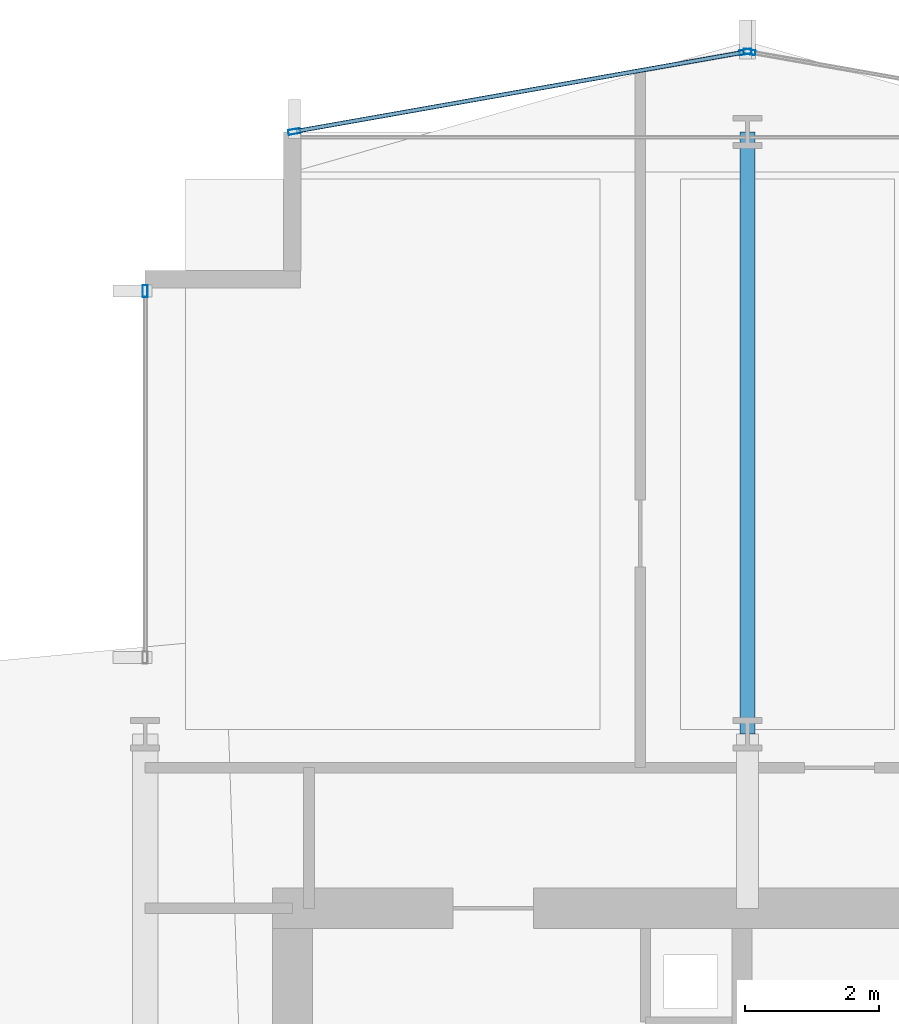
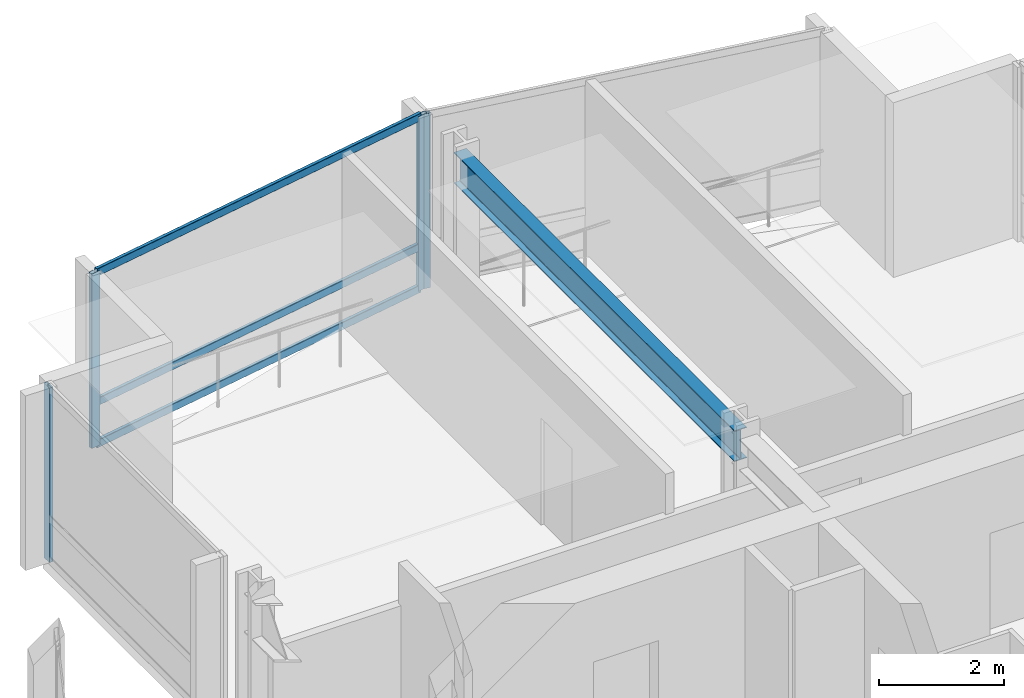
# One storey, part 23 of 34: 7 members, 1 beam, 3 elements without a shape of their own.
"""IFC4 building model written with IfcOpenShell, lengths in metres."""

from ifc_helpers import new_model, si_unit, direction, frame, origin, origin_2d, place, context, subcontext, project, spatial, hollow_rectangle, i_section, extrude, material, layer, layer_set, material_profile, profile_set, type_object, element, aggregate, save


model = new_model("IFC4")

# Units and contexts
model_context = context("Model", 3, precision=1e-05, world=origin(), true_north=direction((0.0, 1.0)))
body_context = subcontext(model_context, "Body", "Model", "MODEL_VIEW")
ifc_project = project(units=[si_unit("LENGTHUNIT", "METRE"), si_unit("AREAUNIT", "SQUARE_METRE"), si_unit("VOLUMEUNIT", "CUBIC_METRE"), si_unit("PLANEANGLEUNIT", "RADIAN"), si_unit("MASSUNIT", "GRAM", prefix="KILO")], contexts=[model_context])

# Site, building, storey
site_placement = place(None, origin())
site = spatial("IfcSite", under=ifc_project, at=site_placement, CompositionType="ELEMENT")
building_placement = place(site_placement, origin())
building = spatial("IfcBuilding", under=site, at=building_placement, Name="Solvaryn Broadcast Tower", CompositionType="ELEMENT")
storey_placement = place(building_placement, frame((0.0, 0.0, 47.10009765625)))
storey = spatial("IfcBuildingStorey", under=building, at=storey_placement, Name="L10", CompositionType="ELEMENT", Elevation=47.10009765625)

# Beam
ifc_material_1 = material(Name="Steel ASTM A992 Grade 50", Category="steel")
ifc_material_profile_1 = material_profile(ifc_material_1, i_section(OverallWidth=0.22802734375, OverallDepth=0.60791015625, WebThickness=0.01123046875, FlangeThickness=0.017333984375, FilletRadius=0.014892578125, at=origin_2d()))
ifc_profile_set_1 = profile_set([ifc_material_profile_1], Name="Steel ASTM A992 Grade 50")
beam_type = type_object("IfcBeamType", Name="BM-B2-W24X76", PredefinedType="BEAM", material=ifc_profile_set_1)
beam_placement = place(storey_placement, frame((18.0, 45.0, 3.115966796875), z_axis=(0.0, 1.0, 0.0), x_axis=(-1.0, 0.0, 0.0)))
element("IfcBeam", 1, at=beam_placement, inside=storey, type_object=beam_type, Name="L10 Primary Beam Y (45-54 @ X=18)", PredefinedType="BEAM", context=body_context, shape_type="SweptSolid", body=[
    extrude(i_section(OverallWidth=0.22802734375, OverallDepth=0.60791015625, WebThickness=0.01123046875, FlangeThickness=0.017333984375, FilletRadius=0.014892578125, at=origin_2d()), origin(), (0.0, 0.0, 1.0), 9.0),
])

# Curtain wall, member
ifc_material_2 = material(Name="Aluminium and Terracotta Unitised Curtain Wall", Category="masonry")
ifc_layer = layer(ifc_material_2, 0.199951171875)
ifc_layer_set = layer_set([ifc_layer], Name="CW-SYS2-LOWMID")
curtain_wall_type = type_object("IfcCurtainWallType", Name="CW-SYS2-LOWMID", PredefinedType="NOTDEFINED", material=ifc_layer_set)
curtain_wall_1_placement = place(storey_placement, origin())
curtain_wall_1 = element("IfcCurtainWall", 2, at=curtain_wall_1_placement, inside=storey, type_object=curtain_wall_type, Name="L10 Curtain Wall W2", PredefinedType="NOTDEFINED")
ifc_material_3 = material(Name="Anodised Aluminium 6063-T6", Category="aluminium")
ifc_material_profile_2 = material_profile(ifc_material_3, hollow_rectangle(XDim=0.074951171875, YDim=0.179931640625, WallThickness=0.00390625, InnerFilletRadius=0.00390625, OuterFilletRadius=0.008056640625, at=origin_2d()))
ifc_profile_set_2 = profile_set([ifc_material_profile_2], Name="Anodised Aluminium 6063-T6")
member_type_1 = type_object("IfcMemberType", Name="CW-MUL-180", PredefinedType="MULLION", material=ifc_profile_set_2)
member_1_placement = place(storey_placement, frame((9.0, 51.6201171875, 0.0), z_axis=(0.0, 0.0, 1.0), x_axis=(-1.0, 0.0, 0.0)))
member_1 = element("IfcMember", 3, at=member_1_placement, type_object=member_type_1, Name="CWS2 mullion 2", PredefinedType="MULLION", context=body_context, shape_type="SweptSolid", body=[
    extrude(hollow_rectangle(XDim=0.074951171875, YDim=0.179931640625, WallThickness=0.00390625, InnerFilletRadius=0.00390625, OuterFilletRadius=0.008056640625, at=origin_2d()), origin(), (0.0, 0.0, 1.0), 3.419921875),
])
aggregate(curtain_wall_1, [member_1])

curtain_wall_2_placement = place(storey_placement, origin())
curtain_wall_2 = element("IfcCurtainWall", 4, at=curtain_wall_2_placement, inside=storey, type_object=curtain_wall_type, Name="L10 Curtain Wall NT1", PredefinedType="NOTDEFINED")
member_2_placement = place(storey_placement, frame((18.029541015625, 55.19482421875, 0.0), z_axis=(0.0, 0.0, 1.0), x_axis=(-0.173785333901, -0.984783558819, 0.0)))
member_2 = element("IfcMember", 5, at=member_2_placement, type_object=member_type_1, Name="CWS2 mullion 2", PredefinedType="MULLION", context=body_context, shape_type="SweptSolid", body=[
    extrude(hollow_rectangle(XDim=0.074951171875, YDim=0.179931640625, WallThickness=0.00390625, InnerFilletRadius=0.00390625, OuterFilletRadius=0.008056640625, at=origin_2d()), origin(), (0.0, 0.0, 1.0), 3.419921875),
])
aggregate(curtain_wall_2, [member_2])

# Curtain wall, members
curtain_wall_3_placement = place(storey_placement, origin())
curtain_wall_3 = element("IfcCurtainWall", 6, at=curtain_wall_3_placement, inside=storey, type_object=curtain_wall_type, Name="L10 Curtain Wall NT2", PredefinedType="NOTDEFINED")
member_3_placement = place(storey_placement, frame((17.970458984375, 55.19482421875, 0.0), z_axis=(0.0, 0.0, 1.0), x_axis=(0.173785333901, -0.984783558819, 0.0)))
member_3 = element("IfcMember", 7, at=member_3_placement, type_object=member_type_1, Name="CWS2 mullion 1", PredefinedType="MULLION", context=body_context, shape_type="SweptSolid", body=[
    extrude(hollow_rectangle(XDim=0.074951171875, YDim=0.179931640625, WallThickness=0.00390625, InnerFilletRadius=0.00390625, OuterFilletRadius=0.008056640625, at=origin_2d()), origin(), (0.0, 0.0, 1.0), 3.419921875),
])
member_4_placement = place(storey_placement, frame((11.2294921875, 54.005126953125, 0.0), z_axis=(0.0, 0.0, 1.0), x_axis=(0.173785333901, -0.984783558819, 0.0)))
member_4 = element("IfcMember", 8, at=member_4_placement, type_object=member_type_1, Name="CWS2 mullion 2", PredefinedType="MULLION", context=body_context, shape_type="SweptSolid", body=[
    extrude(hollow_rectangle(XDim=0.074951171875, YDim=0.179931640625, WallThickness=0.00390625, InnerFilletRadius=0.00390625, OuterFilletRadius=0.008056640625, at=origin_2d()), origin(), (0.0, 0.0, 1.0), 3.419921875),
])
ifc_material_4 = material(Name="Anodised Aluminium 6063-T6", Category="aluminium")
ifc_material_profile_3 = material_profile(ifc_material_4, hollow_rectangle(XDim=0.06494140625, YDim=0.14990234375, WallThickness=0.00390625, InnerFilletRadius=0.00390625, OuterFilletRadius=0.008056640625, at=origin_2d()))
ifc_profile_set_3 = profile_set([ifc_material_profile_3], Name="Anodised Aluminium 6063-T6")
member_type_2 = type_object("IfcMemberType", Name="CW-TRN-150", PredefinedType="USERDEFINED", material=ifc_profile_set_3)
member_5_placement = place(storey_placement, frame((17.94091796875, 55.189453125, 0.02978515625), z_axis=(-0.984788629673, -0.173756596613, 0.0), x_axis=(0.173756596613, -0.984788629673, 0.0)))
member_5 = element("IfcMember", 9, at=member_5_placement, type_object=member_type_2, Name="CWS2 transom 1.1", ObjectType="TRANSOM", PredefinedType="USERDEFINED", context=body_context, shape_type="SweptSolid", body=[
    extrude(hollow_rectangle(XDim=0.06494140625, YDim=0.14990234375, WallThickness=0.00390625, InnerFilletRadius=0.00390625, OuterFilletRadius=0.008056640625, at=origin_2d()), origin(), (0.0, 0.0, 1.0), 6.78515625),
])
member_6_placement = place(storey_placement, frame((17.94091796875, 55.189453125, 0.849853515625), z_axis=(-0.984788629673, -0.173756596613, 0.0), x_axis=(0.173756596613, -0.984788629673, 0.0)))
member_6 = element("IfcMember", 10, at=member_6_placement, type_object=member_type_2, Name="CWS2 transom 1.2", ObjectType="TRANSOM", PredefinedType="USERDEFINED", context=body_context, shape_type="SweptSolid", body=[
    extrude(hollow_rectangle(XDim=0.06494140625, YDim=0.14990234375, WallThickness=0.00390625, InnerFilletRadius=0.00390625, OuterFilletRadius=0.008056640625, at=origin_2d()), origin(), (0.0, 0.0, 1.0), 6.78515625),
])
member_7_placement = place(storey_placement, frame((17.94091796875, 55.189453125, 3.389892578125), z_axis=(-0.984788629673, -0.173756596613, 0.0), x_axis=(0.173756596613, -0.984788629673, 0.0)))
member_7 = element("IfcMember", 11, at=member_7_placement, type_object=member_type_2, Name="CWS2 transom 1.3", ObjectType="TRANSOM", PredefinedType="USERDEFINED", context=body_context, shape_type="SweptSolid", body=[
    extrude(hollow_rectangle(XDim=0.06494140625, YDim=0.14990234375, WallThickness=0.00390625, InnerFilletRadius=0.00390625, OuterFilletRadius=0.008056640625, at=origin_2d()), origin(), (0.0, 0.0, 1.0), 6.78515625),
])
aggregate(curtain_wall_3, [member_3, member_4, member_5, member_6, member_7])

save(model, "model.ifc")
